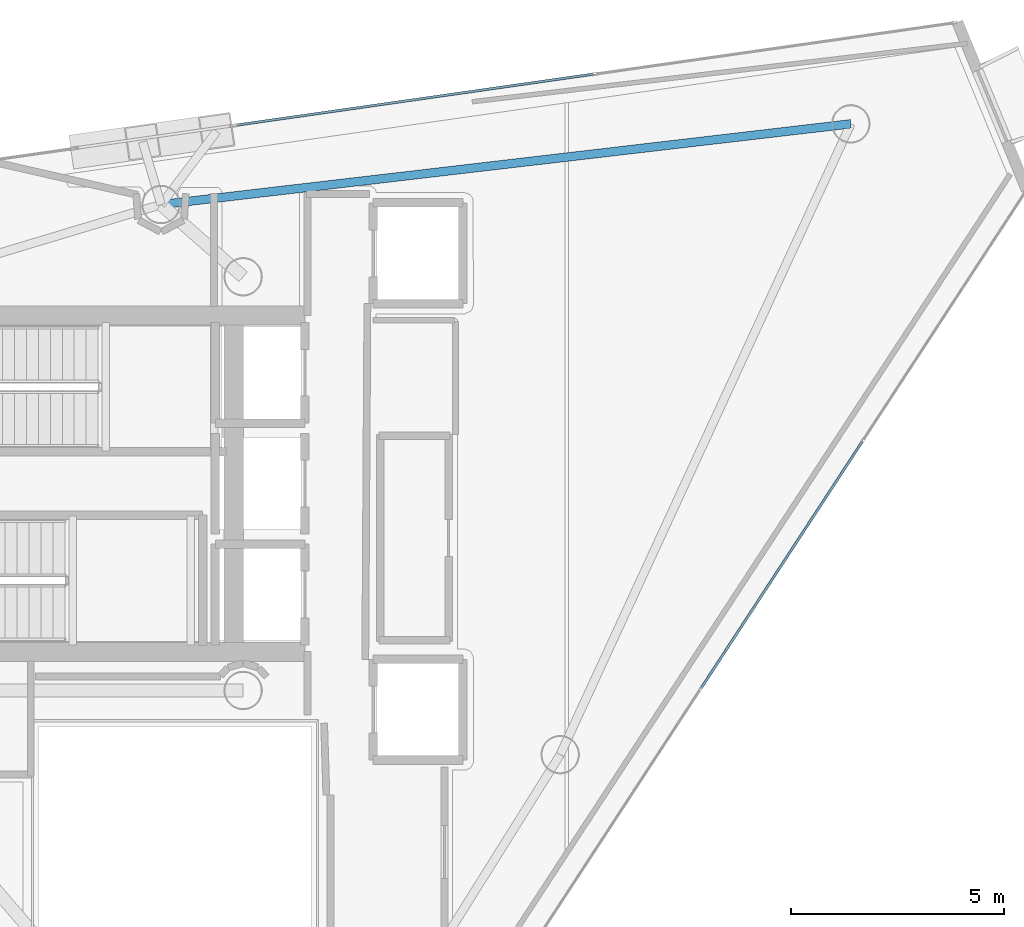
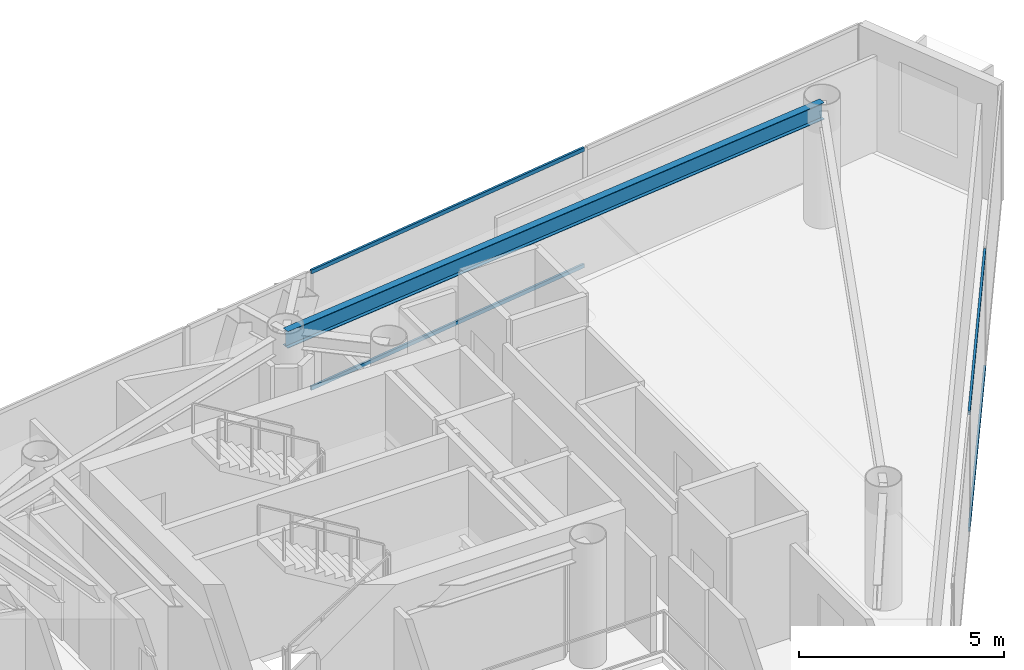
# One storey, part 17 of 25: 4 members, 1 beam, 2 elements without a shape of their own.
"""IFC4 building model written with IfcOpenShell, lengths in metres."""

from ifc_helpers import new_model, si_unit, direction, frame, origin, origin_2d, place, context, subcontext, project, spatial, hollow_rectangle, i_section, extrude, material, layer, layer_set, material_profile, profile_set, type_object, element, aggregate, save


model = new_model("IFC4")

# Units and contexts
model_context = context("Model", 3, precision=1e-05, world=origin(), true_north=direction((0.0, 1.0)))
body_context = subcontext(model_context, "Body", "Model", "MODEL_VIEW")
ifc_project = project(units=[si_unit("LENGTHUNIT", "METRE"), si_unit("AREAUNIT", "SQUARE_METRE"), si_unit("VOLUMEUNIT", "CUBIC_METRE"), si_unit("PLANEANGLEUNIT", "RADIAN"), si_unit("MASSUNIT", "GRAM", prefix="KILO")], contexts=[model_context])

# Site, building, storey
site_placement = place(None, origin())
site = spatial("IfcSite", under=ifc_project, at=site_placement, CompositionType="ELEMENT")
building_placement = place(site_placement, origin())
building = spatial("IfcBuilding", under=site, at=building_placement, Name="Qianvela Tower", CompositionType="ELEMENT")
storey_placement = place(building_placement, frame((0.0, 0.0, 291.699951171875)))
storey = spatial("IfcBuildingStorey", under=building, at=storey_placement, Name="L75", CompositionType="ELEMENT", Elevation=291.699951171875)

# Beam
ifc_material_1 = material(Name="Steel Q355B", Category="steel")
ifc_material_profile_1 = material_profile(ifc_material_1, i_section(OverallWidth=0.199951171875, OverallDepth=0.5, WebThickness=0.010009765625, FlangeThickness=0.01611328125, at=origin_2d()), Name="HN500x200x10x16")
ifc_profile_set_1 = profile_set([ifc_material_profile_1], Name="Steel Q355B")
beam_type = type_object("IfcBeamType", Name="BM-HN500-GIRD", PredefinedType="BEAM", material=ifc_profile_set_1)
beam_placement = place(storey_placement, frame((52.64794921875, 37.135009765625, 3.26806640625), z_axis=(-0.993225117092, -0.116206139153, 0.0), x_axis=(0.116206139153, -0.993225117092, 0.0)))
element("IfcBeam", 1, at=beam_placement, inside=storey, type_object=beam_type, Name="L75 Perimeter Ring Spandrel Girder 1", PredefinedType="BEAM", context=body_context, shape_type="SweptSolid", body=[
    extrude(i_section(OverallWidth=0.199951171875, OverallDepth=0.5, WebThickness=0.010009765625, FlangeThickness=0.01611328125, at=origin_2d()), origin(), (0.0, 0.0, 1.0), 16.2822265625),
])

# Curtain wall, members
ifc_material_2 = material(Name="Anodised Architectural Aluminium and Low-E Glass", Category="aluminium")
ifc_layer = layer(ifc_material_2, 0.14990234375)
ifc_layer_set = layer_set([ifc_layer], Name="Anodised Architectural Aluminium and Low-E Glass")
curtain_wall_type = type_object("IfcCurtainWallType", Name="CW-COLIV-Z78", PredefinedType="USERDEFINED", material=ifc_layer_set)
curtain_wall_1_placement = place(storey_placement, origin())
curtain_wall_1 = element("IfcCurtainWall", 2, at=curtain_wall_1_placement, inside=storey, type_object=curtain_wall_type, Name="L75 CW-COLIV-Z78 Curtain Wall 02A", ObjectType="CURTAIN_WALL_SYSTEM", PredefinedType="USERDEFINED")
ifc_material_3 = material(Name="Anodised Architectural Aluminium 6063-T6", Category="aluminium")
ifc_material_profile_2 = material_profile(ifc_material_3, hollow_rectangle(XDim=0.06005859375, YDim=0.114990234375, WallThickness=0.00390625, at=origin_2d()), Name="ALU-TRAN-60x115")
ifc_profile_set_2 = profile_set([ifc_material_profile_2], Name="Anodised Architectural Aluminium 6063-T6")
member_type = type_object("IfcMemberType", Name="CW-COLIV-Z78-TRAN", PredefinedType="USERDEFINED", material=ifc_profile_set_2)
member_1_placement = place(storey_placement, frame((46.619873046875, 38.30224609375, 0.030029296875), z_axis=(-0.989957586542, -0.141364694492, 0.0), x_axis=(0.141364694492, -0.989957586542, 0.0)))
member_1 = element("IfcMember", 3, at=member_1_placement, type_object=member_type, Name="CW-6 transom 2.1", ObjectType="TRANSOM", PredefinedType="USERDEFINED", context=body_context, shape_type="SweptSolid", body=[
    extrude(hollow_rectangle(XDim=0.06005859375, YDim=0.114990234375, WallThickness=0.00390625, at=origin_2d()), origin(), (0.0, 0.0, 1.0), 8.445068359375),
])
member_2_placement = place(storey_placement, frame((46.619873046875, 38.30224609375, 3.489990234375), z_axis=(-0.989957586542, -0.141364694492, 0.0), x_axis=(0.141364694492, -0.989957586542, 0.0)))
member_2 = element("IfcMember", 4, at=member_2_placement, type_object=member_type, Name="CW-6 transom 2.2", ObjectType="TRANSOM", PredefinedType="USERDEFINED", context=body_context, shape_type="SweptSolid", body=[
    extrude(hollow_rectangle(XDim=0.06005859375, YDim=0.114990234375, WallThickness=0.00390625, at=origin_2d()), origin(), (0.0, 0.0, 1.0), 8.445068359375),
])
aggregate(curtain_wall_1, [member_1, member_2])

curtain_wall_2_placement = place(storey_placement, origin())
curtain_wall_2 = element("IfcCurtainWall", 5, at=curtain_wall_2_placement, inside=storey, type_object=curtain_wall_type, Name="L75 CW-COLIV-Z78 Curtain Wall 06C", ObjectType="CURTAIN_WALL_SYSTEM", PredefinedType="USERDEFINED")
member_3_placement = place(storey_placement, frame((49.139404296875, 23.904541015625, 0.030029296875), z_axis=(0.54708365851, 0.837077935793, 0.0), x_axis=(-0.837077935793, 0.54708365851, 0.0)))
member_3 = element("IfcMember", 6, at=member_3_placement, type_object=member_type, Name="CW-6 transom 3.1", ObjectType="TRANSOM", PredefinedType="USERDEFINED", context=body_context, shape_type="SweptSolid", body=[
    extrude(hollow_rectangle(XDim=0.06005859375, YDim=0.114990234375, WallThickness=0.00390625, at=origin_2d()), origin(), (0.0, 0.0, 1.0), 6.90771484375),
])
member_4_placement = place(storey_placement, frame((49.139404296875, 23.904541015625, 3.489990234375), z_axis=(0.54708365851, 0.837077935793, 0.0), x_axis=(-0.837077935793, 0.54708365851, 0.0)))
member_4 = element("IfcMember", 7, at=member_4_placement, type_object=member_type, Name="CW-6 transom 3.2", ObjectType="TRANSOM", PredefinedType="USERDEFINED", context=body_context, shape_type="SweptSolid", body=[
    extrude(hollow_rectangle(XDim=0.06005859375, YDim=0.114990234375, WallThickness=0.00390625, at=origin_2d()), origin(), (0.0, 0.0, 1.0), 6.90771484375),
])
aggregate(curtain_wall_2, [member_3, member_4])

save(model, "model.ifc")
